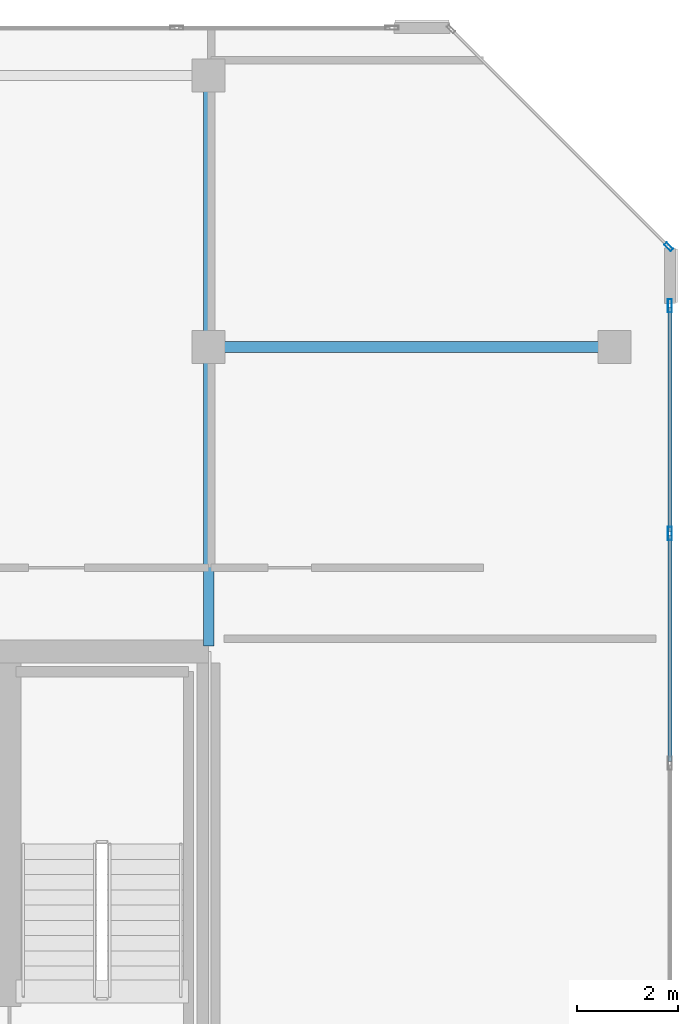
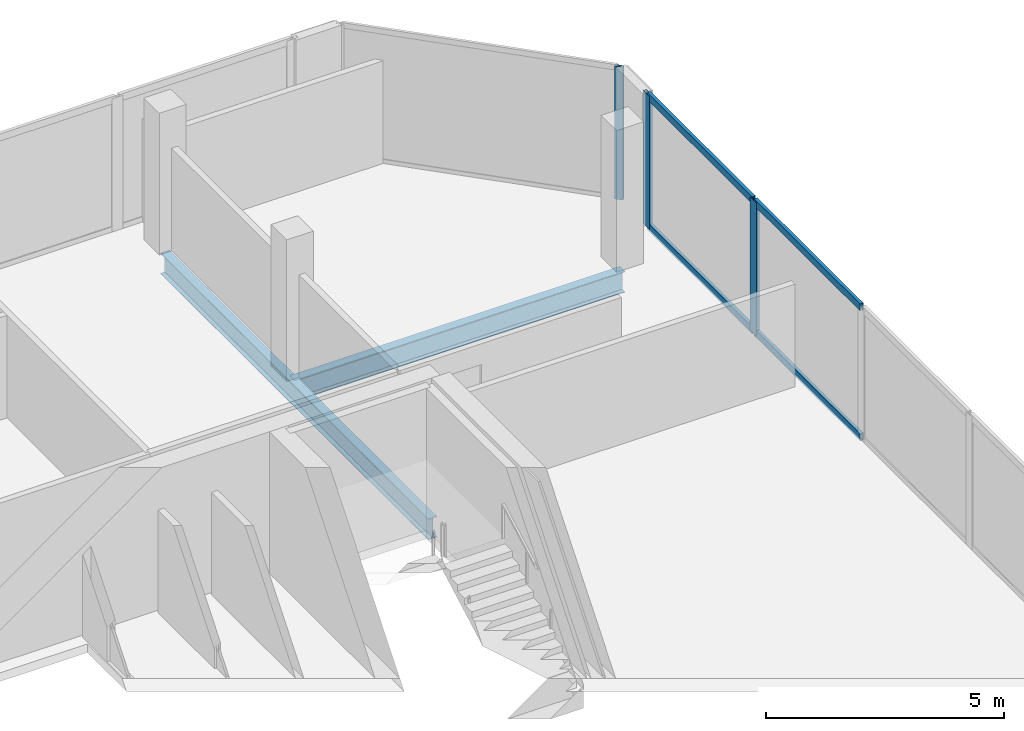
# One storey, part 19 of 30: 7 members, 2 beams, 2 elements without a shape of their own.
"""IFC4 building model written with IfcOpenShell, lengths in metres."""

from ifc_helpers import new_model, si_unit, direction, frame, origin, origin_2d, place, context, subcontext, project, spatial, hollow_rectangle, i_section, extrude, material, layer, layer_set, material_profile, profile_set, type_object, element, aggregate, save


model = new_model("IFC4")

# Units and contexts
model_context = context("Model", 3, precision=1e-05, world=origin(), true_north=direction((0.0, 1.0)))
body_context = subcontext(model_context, "Body", "Model", "MODEL_VIEW")
ifc_project = project(units=[si_unit("LENGTHUNIT", "METRE"), si_unit("AREAUNIT", "SQUARE_METRE"), si_unit("VOLUMEUNIT", "CUBIC_METRE"), si_unit("PLANEANGLEUNIT", "RADIAN"), si_unit("MASSUNIT", "GRAM", prefix="KILO")], contexts=[model_context])

# Site, building, storey
site_placement = place(None, origin())
site = spatial("IfcSite", under=ifc_project, at=site_placement, CompositionType="ELEMENT")
building_placement = place(site_placement, origin())
building = spatial("IfcBuilding", under=site, at=building_placement, Name="Tanjung Sevakor Pilgrim Tower", CompositionType="ELEMENT")
storey_placement = place(building_placement, frame((0.0, 0.0, 253.43994140625)))
storey = spatial("IfcBuildingStorey", under=building, at=storey_placement, Name="L71", CompositionType="ELEMENT", Elevation=253.43994140625)

# Beams
ifc_material_1 = material(Name="Steel S355J2", Category="steel")
ifc_material_profile_1 = material_profile(ifc_material_1, i_section(OverallWidth=0.2119140625, OverallDepth=0.54443359375, WebThickness=0.0126953125, FlangeThickness=0.021240234375, FilletRadius=0.0126953125, at=origin_2d()))
ifc_profile_set_1 = profile_set([ifc_material_profile_1], Name="Steel S355J2")
beam_type_1 = type_object("IfcBeamType", Name="BM-B-G5-UB_533x210x122", PredefinedType="BEAM", material=ifc_profile_set_1)
beam_1_placement = place(storey_placement, frame((90.0, 48.60009765625, -0.4921875), z_axis=(1.0, 0.0, 0.0), x_axis=(0.0, 1.0, 0.0)))
element("IfcBeam", 1, at=beam_1_placement, inside=storey, type_object=beam_type_1, Name="L71 East Peak Wing Girder Y48.6", PredefinedType="BEAM", context=body_context, shape_type="SweptSolid", body=[
    extrude(i_section(OverallWidth=0.2119140625, OverallDepth=0.54443359375, WebThickness=0.0126953125, FlangeThickness=0.021240234375, FilletRadius=0.0126953125, at=origin_2d()), origin(), (0.0, 0.0, 1.0), 8.0),
])
ifc_material_2 = material(Name="Steel S355J2", Category="steel")
ifc_material_profile_2 = material_profile(ifc_material_2, i_section(OverallWidth=0.210693359375, OverallDepth=0.53955078125, WebThickness=0.01171875, FlangeThickness=0.018798828125, FilletRadius=0.0126953125, at=origin_2d()))
ifc_profile_set_2 = profile_set([ifc_material_profile_2], Name="Steel S355J2")
beam_type_2 = type_object("IfcBeamType", Name="BM-B-G6-UB_533x210x109", PredefinedType="BEAM", material=ifc_profile_set_2)
beam_2_placement = place(storey_placement, frame((90.0, 42.7060546875, -0.48974609375), z_axis=(0.0, 1.0, 0.0), x_axis=(-1.0, 0.0, 0.0)))
element("IfcBeam", 2, at=beam_2_placement, inside=storey, type_object=beam_type_2, Name="L71 EAST Girder 010", PredefinedType="BEAM", context=body_context, shape_type="SweptSolid", body=[
    extrude(i_section(OverallWidth=0.210693359375, OverallDepth=0.53955078125, WebThickness=0.01171875, FlangeThickness=0.018798828125, FilletRadius=0.0126953125, at=origin_2d()), origin(), (0.0, 0.0, 1.0), 11.243896484375),
])

# Curtain wall, member
ifc_material_3 = material(Name="Aluminium 6063-T6 and Low-E Glass", Category="aluminium")
ifc_layer_1 = layer(ifc_material_3, 0.179931640625)
ifc_layer_set_1 = layer_set([ifc_layer_1], Name="CW-SYS-CHAM")
curtain_wall_type_1 = type_object("IfcCurtainWallType", Name="CW-SYS-CHAM", PredefinedType="NOTDEFINED", material=ifc_layer_set_1)
curtain_wall_1_placement = place(storey_placement, origin())
curtain_wall_1 = element("IfcCurtainWall", 3, at=curtain_wall_1_placement, inside=storey, type_object=curtain_wall_type_1, Name="L71 Curtain Wall CW-CHM-L71-EAST-3", PredefinedType="NOTDEFINED")
ifc_material_4 = material(Name="Aluminium 6063-T6", Category="aluminium")
ifc_material_profile_3 = material_profile(ifc_material_4, hollow_rectangle(XDim=0.06494140625, YDim=0.179931640625, WallThickness=0.00390625, at=origin_2d()))
ifc_profile_set_3 = profile_set([ifc_material_profile_3], Name="Aluminium 6063-T6")
member_type_1 = type_object("IfcMemberType", Name="TYPE-CWM-1", PredefinedType="MULLION", material=ifc_profile_set_3)
member_1_placement = place(storey_placement, frame((99.067138671875, 50.577392578125, 0.0), z_axis=(0.0, 0.0, 1.0), x_axis=(-0.707106781187, -0.707106781187, 0.0)))
member_1 = element("IfcMember", 4, at=member_1_placement, type_object=member_type_1, Name="CW-CHM mullion 1", PredefinedType="MULLION", context=body_context, shape_type="SweptSolid", body=[
    extrude(hollow_rectangle(XDim=0.06494140625, YDim=0.179931640625, WallThickness=0.00390625, at=origin_2d()), origin(), (0.0, 0.0, 1.0), 3.41015625),
])
aggregate(curtain_wall_1, [member_1])

# Curtain wall, members
ifc_material_5 = material(Name="Aluminium 6063-T6 and Low-E Glass", Category="aluminium")
ifc_layer_2 = layer(ifc_material_5, 0.219970703125)
ifc_layer_set_2 = layer_set([ifc_layer_2], Name="CW-SYS-CRNE")
curtain_wall_type_2 = type_object("IfcCurtainWallType", Name="CW-SYS-CRNE", PredefinedType="NOTDEFINED", material=ifc_layer_set_2)
curtain_wall_2_placement = place(storey_placement, origin())
curtain_wall_2 = element("IfcCurtainWall", 5, at=curtain_wall_2_placement, inside=storey, type_object=curtain_wall_type_2, Name="L71 Curtain Wall CW-CRN-L71-EAST-2-1", PredefinedType="NOTDEFINED")
ifc_material_6 = material(Name="Aluminium 6063-T6", Category="aluminium")
ifc_material_profile_4 = material_profile(ifc_material_6, hollow_rectangle(XDim=0.080078125, YDim=0.260009765625, WallThickness=0.0048828125, at=origin_2d()))
ifc_profile_set_4 = profile_set([ifc_material_profile_4], Name="Aluminium 6063-T6")
member_type_2 = type_object("IfcMemberType", Name="TYPE-CWM-3", PredefinedType="MULLION", material=ifc_profile_set_4)
member_2_placement = place(storey_placement, frame((99.090087890625, 44.924560546875, 0.0), z_axis=(0.0, 0.0, 1.0), x_axis=(-1.0, 0.0, 0.0)))
member_2 = element("IfcMember", 6, at=member_2_placement, type_object=member_type_2, Name="CW-CRE mullion 7", PredefinedType="MULLION", context=body_context, shape_type="SweptSolid", body=[
    extrude(hollow_rectangle(XDim=0.080078125, YDim=0.260009765625, WallThickness=0.0048828125, at=origin_2d()), origin(), (0.0, 0.0, 1.0), 3.41015625),
])
member_3_placement = place(storey_placement, frame((99.090087890625, 49.414306640625, 0.0), z_axis=(0.0, 0.0, 1.0), x_axis=(-1.0, 0.0, 0.0)))
member_3 = element("IfcMember", 7, at=member_3_placement, type_object=member_type_2, Name="CW-CRE mullion 8", PredefinedType="MULLION", context=body_context, shape_type="SweptSolid", body=[
    extrude(hollow_rectangle(XDim=0.080078125, YDim=0.260009765625, WallThickness=0.0048828125, at=origin_2d()), origin(), (0.0, 0.0, 1.0), 3.41015625),
])
ifc_material_7 = material(Name="Aluminium 6063-T6", Category="aluminium")
ifc_material_profile_5 = material_profile(ifc_material_7, hollow_rectangle(XDim=0.080078125, YDim=0.179931640625, WallThickness=0.0048828125, at=origin_2d()))
ifc_profile_set_5 = profile_set([ifc_material_profile_5], Name="Aluminium 6063-T6")
member_type_3 = type_object("IfcMemberType", Name="TYPE-CWT-3", PredefinedType="USERDEFINED", material=ifc_profile_set_5)
member_4_placement = place(storey_placement, frame((99.090087890625, 40.434814453125, 0.0400390625), z_axis=(0.0, 1.0, 0.0), x_axis=(-1.0, 0.0, 0.0)))
member_4 = element("IfcMember", 8, at=member_4_placement, type_object=member_type_3, Name="CW-CRE transom 6.1", ObjectType="TRANSOM", PredefinedType="USERDEFINED", context=body_context, shape_type="SweptSolid", body=[
    extrude(hollow_rectangle(XDim=0.080078125, YDim=0.179931640625, WallThickness=0.0048828125, at=origin_2d()), origin(), (0.0, 0.0, 1.0), 4.44970703125),
])
member_5_placement = place(storey_placement, frame((99.090087890625, 40.434814453125, 3.3701171875), z_axis=(0.0, 1.0, 0.0), x_axis=(-1.0, 0.0, 0.0)))
member_5 = element("IfcMember", 9, at=member_5_placement, type_object=member_type_3, Name="CW-CRE transom 6.2", ObjectType="TRANSOM", PredefinedType="USERDEFINED", context=body_context, shape_type="SweptSolid", body=[
    extrude(hollow_rectangle(XDim=0.080078125, YDim=0.179931640625, WallThickness=0.0048828125, at=origin_2d()), origin(), (0.0, 0.0, 1.0), 4.44970703125),
])
member_6_placement = place(storey_placement, frame((99.090087890625, 44.964599609375, 0.0400390625), z_axis=(0.0, 1.0, 0.0), x_axis=(-1.0, 0.0, 0.0)))
member_6 = element("IfcMember", 10, at=member_6_placement, type_object=member_type_3, Name="CW-CRE transom 7.1", ObjectType="TRANSOM", PredefinedType="USERDEFINED", context=body_context, shape_type="SweptSolid", body=[
    extrude(hollow_rectangle(XDim=0.080078125, YDim=0.179931640625, WallThickness=0.0048828125, at=origin_2d()), origin(), (0.0, 0.0, 1.0), 4.409912109375),
])
member_7_placement = place(storey_placement, frame((99.090087890625, 44.964599609375, 3.3701171875), z_axis=(0.0, 1.0, 0.0), x_axis=(-1.0, 0.0, 0.0)))
member_7 = element("IfcMember", 11, at=member_7_placement, type_object=member_type_3, Name="CW-CRE transom 7.2", ObjectType="TRANSOM", PredefinedType="USERDEFINED", context=body_context, shape_type="SweptSolid", body=[
    extrude(hollow_rectangle(XDim=0.080078125, YDim=0.179931640625, WallThickness=0.0048828125, at=origin_2d()), origin(), (0.0, 0.0, 1.0), 4.409912109375),
])
aggregate(curtain_wall_2, [member_2, member_3, member_4, member_5, member_6, member_7])

save(model, "model.ifc")
